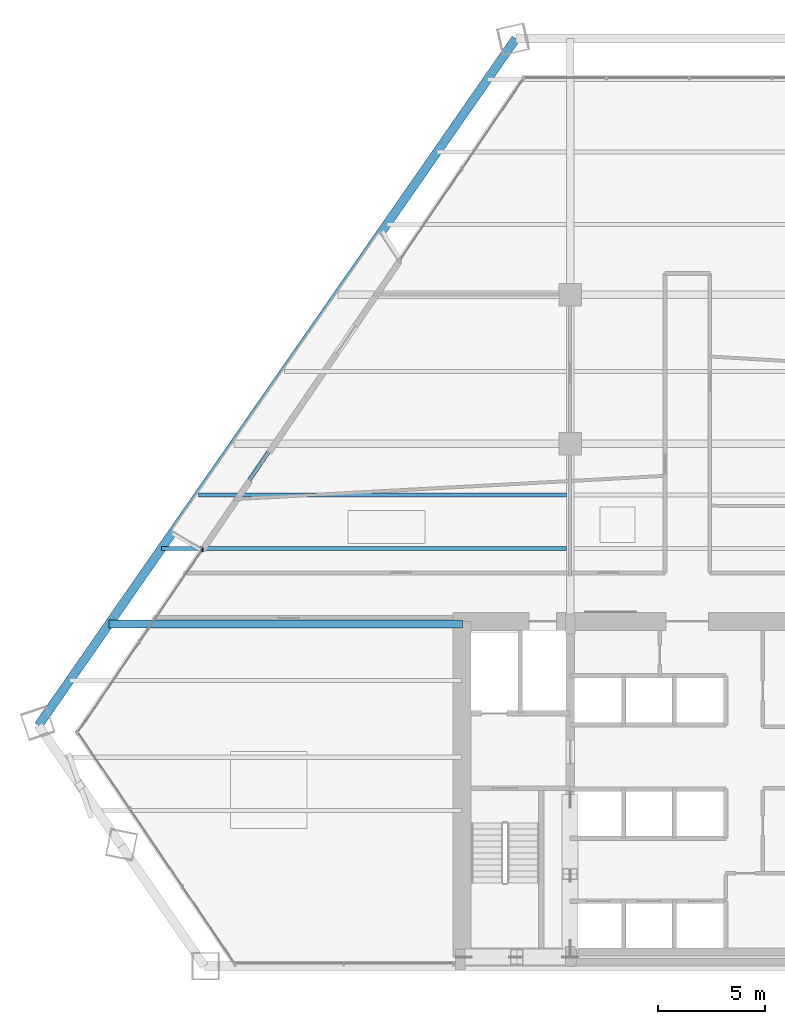
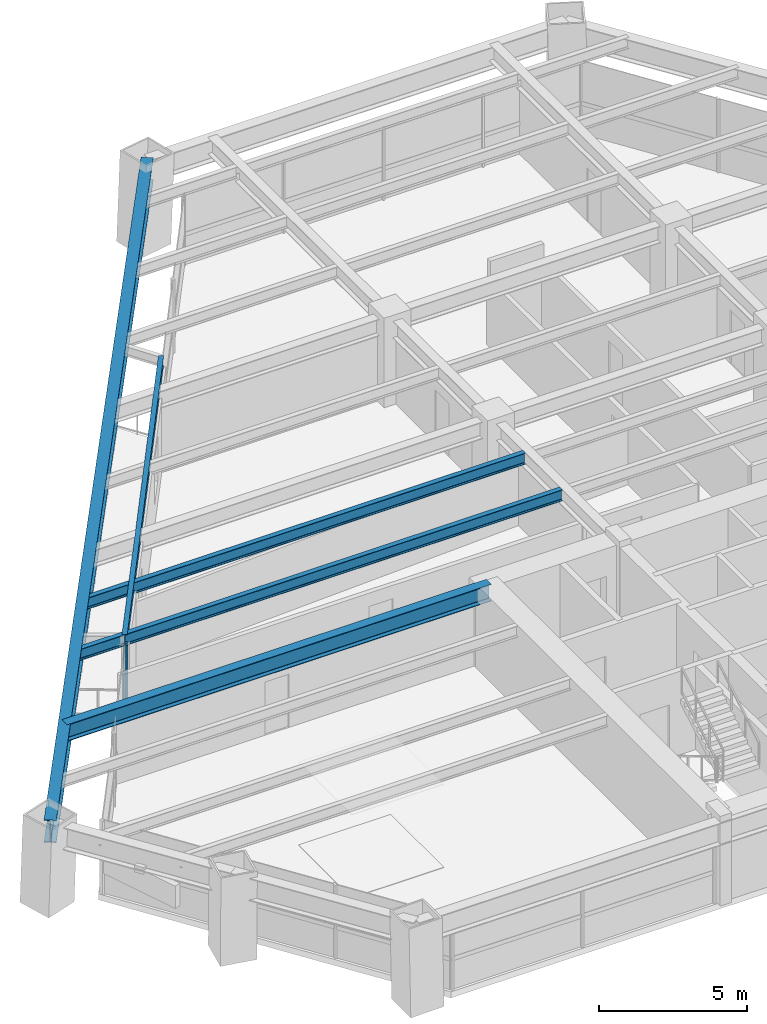
# One storey, part 4 of 14: 5 beams, 1 member, 1 element without a shape of its own.
"""IFC4 building model written with IfcOpenShell, lengths in metres."""

from ifc_helpers import new_model, si_unit, direction, frame, origin, origin_2d, place, context, subcontext, project, spatial, rectangle, i_section, extrude, source, transform, mapped, material, material_profile, profile_set, type_object, type_shapes, element, aggregate, save


model = new_model("IFC4")

# Units and contexts
model_context = context("Model", 3, precision=1e-05, world=origin(), true_north=direction((0.0, 1.0)))
body_context = subcontext(model_context, "Body", "Model", "MODEL_VIEW")
ifc_project = project(units=[si_unit("LENGTHUNIT", "METRE"), si_unit("AREAUNIT", "SQUARE_METRE"), si_unit("VOLUMEUNIT", "CUBIC_METRE"), si_unit("PLANEANGLEUNIT", "RADIAN"), si_unit("MASSUNIT", "GRAM", prefix="KILO")], contexts=[model_context])

# Site, building, storey
site_placement = place(None, origin())
site = spatial("IfcSite", under=ifc_project, at=site_placement, CompositionType="ELEMENT")
building_placement = place(site_placement, origin())
building = spatial("IfcBuilding", under=site, at=building_placement, Name="Varnakhor Terracotta Tower", CompositionType="ELEMENT")
storey_placement = place(building_placement, frame((0.0, 0.0, 34.89990234375)))
storey = spatial("IfcBuildingStorey", under=building, at=storey_placement, Name="L07", CompositionType="ELEMENT", Elevation=34.89990234375)

# Beams
ifc_material_1 = material(Name="Steel S355", Category="steel")
ifc_material_profile_1 = material_profile(ifc_material_1, i_section(OverallWidth=0.41796875, OverallDepth=0.927001953125, WebThickness=0.01904296875, FlangeThickness=0.031982421875, FilletRadius=0.01806640625, at=origin_2d()), Name="W36X231")
ifc_profile_set_1 = profile_set([ifc_material_profile_1], Name="Steel S355")
beam_type_1 = type_object("IfcBeamType", Name="BM-W36X231", PredefinedType="BEAM", material=ifc_profile_set_1)
shared_shape_1 = source(origin(), body_context, "Body", "SweptSolid", [
    extrude(i_section(OverallWidth=0.41796875, OverallDepth=0.927001953125, WebThickness=0.01904296875, FlangeThickness=0.031982421875, FilletRadius=0.01806640625, at=origin_2d()), origin(), (0.0, 0.0, 1.0), 39.24072265625),
])
beam_1_placement = place(storey_placement, frame((-8.0458984375, 43.512939453125, 2.986572265625), z_axis=(-0.570733768895, -0.821135168558, 0.0), x_axis=(0.821135168558, -0.570733768895, 0.0)))
element("IfcBeam", 1, at=beam_1_placement, inside=storey, type_object=beam_type_1, Name="L07 Perimeter Spandrel 6", PredefinedType="BEAM", context=body_context, shape_type="MappedRepresentation", body=[
    mapped(shared_shape_1, transform((0.0, 0.0, 0.0), scale=1.0)),
])
ifc_material_profile_2 = material_profile(ifc_material_1, i_section(OverallWidth=0.179931640625, OverallDepth=0.39990234375, WebThickness=0.008544921875, FlangeThickness=0.013427734375, FilletRadius=0.01806640625, at=origin_2d()), Name="IPE400")
ifc_profile_set_2 = profile_set([ifc_material_profile_2], Name="Steel S355")
beam_type_2 = type_object("IfcBeamType", Name="JST-IPE400", PredefinedType="JOIST", material=ifc_profile_set_2)
shared_shape_2 = source(origin(), body_context, "Body", "SweptSolid", [
    extrude(i_section(OverallWidth=0.179931640625, OverallDepth=0.39990234375, WebThickness=0.008544921875, FlangeThickness=0.013427734375, FilletRadius=0.01806640625, at=origin_2d()), origin(), (0.0, 0.0, 1.0), 16.492431640625),
])
beam_2_placement = place(storey_placement, frame((-13.48828125, 33.150390625, 3.25), z_axis=(-0.563319829063, -0.826238930446, 0.0), x_axis=(0.826238930446, -0.563319829063, 0.0)))
element("IfcBeam", 2, at=beam_2_placement, inside=storey, type_object=beam_type_2, Name="L07 Loggia Edge Beam 2", PredefinedType="JOIST", context=body_context, shape_type="MappedRepresentation", body=[
    mapped(shared_shape_2, transform((0.0, 0.0, 0.0), scale=1.0)),
])
ifc_material_profile_3 = material_profile(ifc_material_1, i_section(OverallWidth=0.35498046875, OverallDepth=0.695068359375, WebThickness=0.014892578125, FlangeThickness=0.02490234375, FilletRadius=0.01806640625, at=origin_2d()), Name="W27X146")
ifc_profile_set_3 = profile_set([ifc_material_profile_3], Name="Steel S355")
beam_type_3 = type_object("IfcBeamType", Name="BM-W27X146", PredefinedType="BEAM", material=ifc_profile_set_3)
shared_shape_3 = source(origin(), body_context, "Body", "SweptSolid", [
    extrude(i_section(OverallWidth=0.35498046875, OverallDepth=0.695068359375, WebThickness=0.014892578125, FlangeThickness=0.02490234375, FilletRadius=0.01806640625, at=origin_2d()), origin(), (0.0, 0.0, 1.0), 16.583984375),
])
beam_3_placement = place(storey_placement, frame((-27.134033203125, 16.050048828125, 3.1025390625), z_axis=(1.0, 0.0, 0.0), x_axis=(0.0, 1.0, 0.0)))
element("IfcBeam", 3, at=beam_3_placement, inside=storey, type_object=beam_type_3, Name="L07 Wing Girder W", PredefinedType="BEAM", context=body_context, shape_type="MappedRepresentation", body=[
    mapped(shared_shape_3, transform((0.0, 0.0, 0.0), scale=1.0)),
])
ifc_material_profile_4 = material_profile(ifc_material_1, i_section(OverallWidth=0.19189453125, OverallDepth=0.462890625, WebThickness=0.010498046875, FlangeThickness=0.017578125, FilletRadius=0.01806640625, at=origin_2d()), Name="W18X60")
ifc_profile_set_4 = profile_set([ifc_material_profile_4], Name="Steel S355")
beam_type_4 = type_object("IfcBeamType", Name="JST-W18X60", PredefinedType="JOIST", material=ifc_profile_set_4)
shared_shape_4 = source(origin(), body_context, "Body", "SweptSolid", [
    extrude(i_section(OverallWidth=0.19189453125, OverallDepth=0.462890625, WebThickness=0.010498046875, FlangeThickness=0.017578125, FilletRadius=0.01806640625, at=origin_2d()), origin(), (0.0, 0.0, 1.0), 18.992919921875),
])
beam_4_placement = place(storey_placement, frame((-24.66650390625, 19.60009765625, 3.218505859375), z_axis=(1.0, 0.0, 0.0), x_axis=(0.0, 1.0, 0.0)))
element("IfcBeam", 4, at=beam_4_placement, inside=storey, type_object=beam_type_4, Name="L07 Composite Floor Joist 4-1", PredefinedType="JOIST", context=body_context, shape_type="MappedRepresentation", body=[
    mapped(shared_shape_4, transform((0.0, 0.0, 0.0), scale=1.0)),
])
shared_shape_5 = source(origin(), body_context, "Body", "SweptSolid", [
    extrude(i_section(OverallWidth=0.19189453125, OverallDepth=0.462890625, WebThickness=0.010498046875, FlangeThickness=0.017578125, FilletRadius=0.01806640625, at=origin_2d()), origin(), (0.0, 0.0, 1.0), 17.25537109375),
])
beam_5_placement = place(storey_placement, frame((-22.928955078125, 22.10009765625, 3.218505859375), z_axis=(1.0, 0.0, 0.0), x_axis=(0.0, 1.0, 0.0)))
element("IfcBeam", 5, at=beam_5_placement, inside=storey, type_object=beam_type_4, Name="L07 Composite Floor Joist 5-1", PredefinedType="JOIST", context=body_context, shape_type="MappedRepresentation", body=[
    mapped(shared_shape_5, transform((0.0, 0.0, 0.0), scale=1.0)),
])

# Curtain wall, member
ifc_material_2 = material(Name="Anodised Aluminium Curtain Wall System", Category="aluminium")
curtain_wall_type = type_object("IfcCurtainWallType", Name="CW-SYS-LOW-OFFICE", PredefinedType="NOTDEFINED", material=ifc_material_2)
curtain_wall_placement = place(storey_placement, origin())
curtain_wall = element("IfcCurtainWall", 6, at=curtain_wall_placement, inside=storey, type_object=curtain_wall_type, Name="L07 W Facet Curtain Wall 1", PredefinedType="NOTDEFINED")
ifc_material_3 = material(Name="Anodised Aluminium 6063-T6", Category="aluminium")
ifc_material_profile_5 = material_profile(ifc_material_3, rectangle(XDim=0.074951171875, YDim=0.18505859375, at=origin_2d()), Name="ALU MULLION 75x185")
ifc_profile_set_5 = profile_set([ifc_material_profile_5], Name="Anodised Aluminium 6063-T6")
member_type = type_object("IfcMemberType", Name="CWM-02", PredefinedType="MULLION", material=ifc_profile_set_5)
shared_shape_6 = source(origin(), body_context, "Body", "SweptSolid", [
    extrude(rectangle(XDim=0.074951171875, YDim=0.18505859375, at=origin_2d()), origin(), (0.0, 0.0, 1.0), 3.030029296875),
])
type_shapes(member_type, [shared_shape_6])
member_placement = place(storey_placement, frame((-22.739990234375, 19.52783203125, 0.0), z_axis=(0.0, 0.0, 1.0), x_axis=(1.0, 0.0, 0.0)))
member = element("IfcMember", 7, at=member_placement, type_object=member_type, Name="L07 W Loggia Jamb Closure Mullion 1", PredefinedType="MULLION", context=body_context, shape_type="MappedRepresentation", body=[
    mapped(shared_shape_6, transform((0.0, 0.0, 0.0), scale=1.0)),
])
aggregate(curtain_wall, [member])

save(model, "model.ifc")
